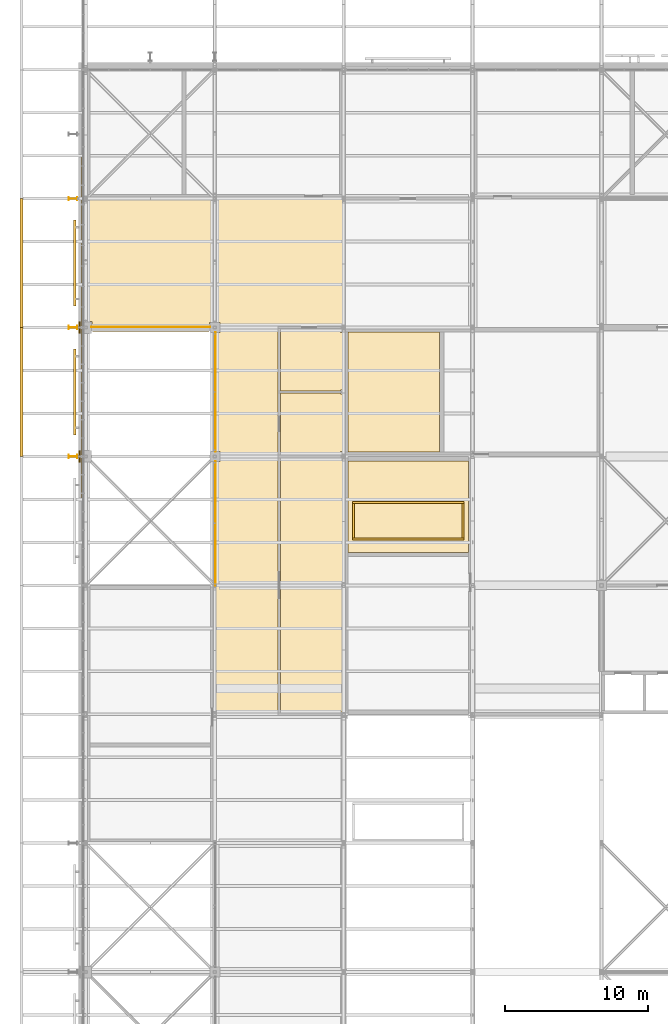
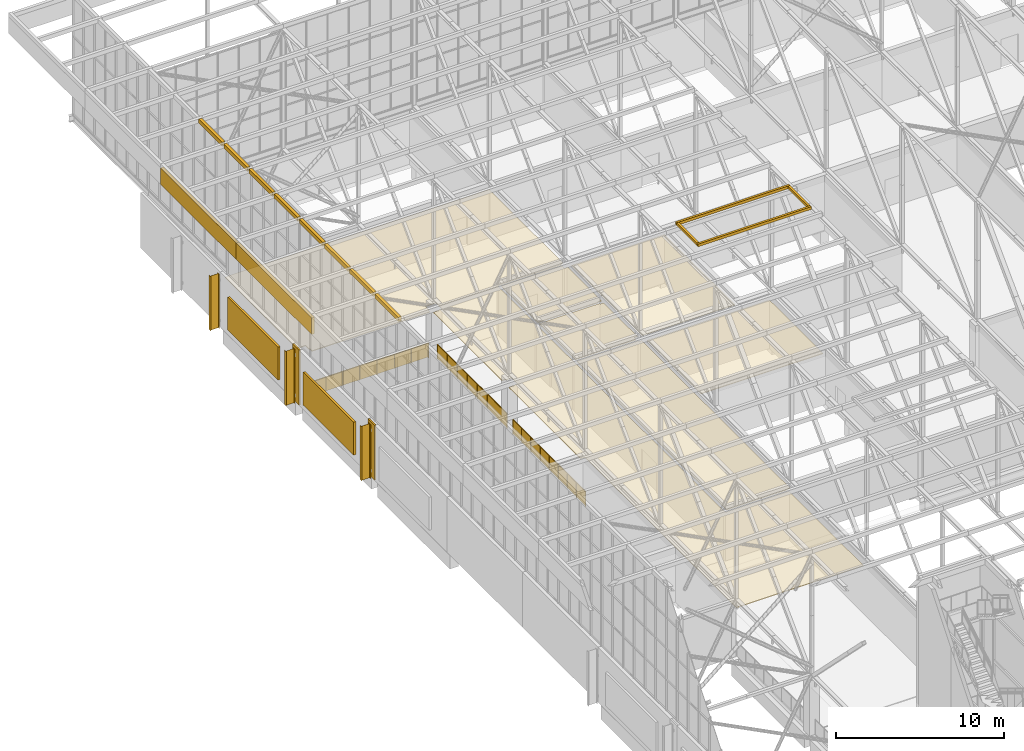
# One storey, part 635 of 646: 23 coverings, 5 shading devices, 3 railings.
"""IFC4 building model written with IfcOpenShell, lengths in metres."""

from ifc_helpers import new_model, si_unit, direction, frame, origin, origin_2d, place, context, subcontext, project, spatial, polyline, rectangle, circle, i_section, outline, extrude, material, layer, layer_set, material_profile, profile_set, type_object, element, save


model = new_model("IFC4")

# Units and contexts
model_context = context("Model", 3, precision=1e-05, world=origin(), true_north=direction((0.0, 1.0)))
body_context = subcontext(model_context, "Body", "Model", "MODEL_VIEW")
ifc_project = project(units=[si_unit("LENGTHUNIT", "METRE"), si_unit("AREAUNIT", "SQUARE_METRE"), si_unit("VOLUMEUNIT", "CUBIC_METRE"), si_unit("PLANEANGLEUNIT", "RADIAN"), si_unit("MASSUNIT", "GRAM", prefix="KILO")], contexts=[model_context])

# Site, building, storey
site_placement = place(None, origin())
site = spatial("IfcSite", under=ifc_project, at=site_placement, CompositionType="ELEMENT")
building_placement = place(site_placement, origin())
building = spatial("IfcBuilding", under=site, at=building_placement, Name="Silverbay Arena", CompositionType="ELEMENT")
storey_placement = place(building_placement, frame((0.0, 0.0, 33.5)))
storey = spatial("IfcBuildingStorey", under=building, at=storey_placement, Name="L05", CompositionType="ELEMENT", Elevation=33.5)

# Coverings
ifc_material_1 = material(Name="Aluminium composite cladding", Category="aluminium")
ifc_layer_1 = layer(ifc_material_1, 0.10009765625)
ifc_layer_set_1 = layer_set([ifc_layer_1], Name="Aluminium composite cladding")
covering_type_1 = type_object("IfcCoveringType", Name="Column cladding 100", PredefinedType="CLADDING", material=ifc_layer_set_1)
covering_1_placement = place(storey_placement, origin())
element("IfcCovering", 1, at=covering_1_placement, inside=storey, type_object=covering_type_1, Name="West column cladding L05 11", PredefinedType="CLADDING", context=body_context, shape_type="SweptSolid", body=[
    extrude(outline(polyline([(53.5, 116.60009765625), (53.60009765625, 116.60009765625), (53.60009765625, 117.39990234375), (53.5, 117.39990234375), (53.5, 116.60009765625)])), origin(), (0.0, 0.0, 1.0), 4.0),
])
covering_2_placement = place(storey_placement, origin())
element("IfcCovering", 2, at=covering_2_placement, inside=storey, type_object=covering_type_1, Name="West column cladding L05 13", PredefinedType="CLADDING", context=body_context, shape_type="SweptSolid", body=[
    extrude(outline(polyline([(53.5, 125.60009765625), (53.60009765625, 125.60009765625), (53.60009765625, 126.39990234375), (53.5, 126.39990234375), (53.5, 125.60009765625)])), origin(), (0.0, 0.0, 1.0), 4.0),
])
ifc_material_2 = material(Name="Fire-resisting board ceiling")
ifc_layer_2 = layer(ifc_material_2, 0.050048828125)
ifc_layer_set_2 = layer_set([ifc_layer_2], Name="Fire-resisting board ceiling")
covering_type_2 = type_object("IfcCoveringType", Name="Fire-resisting ceiling EI 120", PredefinedType="CEILING", material=ifc_layer_set_2)
covering_3_placement = place(storey_placement, frame((0.0, 0.0, 3.5)))
element("IfcCovering", 3, at=covering_3_placement, inside=storey, type_object=covering_type_2, Name="Fire-resisting ceiling 09", PredefinedType="CEILING", context=body_context, shape_type="SweptSolid", body=[
    extrude(outline(polyline([(62.97998046875, 125.590087890625), (62.72998046875, 125.590087890625), (62.72998046875, 117.409912109375), (62.97998046875, 117.409912109375), (62.97998046875, 117.360107421875), (63.360107421875, 117.360107421875), (63.360107421875, 116.639892578125), (62.97998046875, 116.639892578125), (62.97998046875, 116.590087890625), (62.72998046875, 116.590087890625), (62.72998046875, 108.06005859375), (62.97998046875, 108.06005859375), (62.97998046875, 108.030029296875), (63.030029296875, 108.030029296875), (63.030029296875, 90.02001953125), (71.77001953125, 90.02001953125), (71.77001953125, 98.89990234375), (67.39990234375, 98.89990234375), (67.39990234375, 126.02001953125), (63.360107421875, 126.02001953125), (63.360107421875, 125.639892578125), (62.97998046875, 125.639892578125), (62.97998046875, 125.590087890625)])), origin(), (0.0, 0.0, 1.0), 0.050048828125),
])
covering_4_placement = place(storey_placement, frame((0.0, 0.0, 3.5)))
element("IfcCovering", 4, at=covering_4_placement, inside=storey, type_object=covering_type_2, Name="Fire-resisting ceiling 15", PredefinedType="CEILING", context=body_context, shape_type="SweptSolid", body=[
    extrude(outline(polyline([(62.590087890625, 125.97998046875), (62.639892578125, 125.97998046875), (62.639892578125, 126.360107421875), (63.360107421875, 126.360107421875), (63.360107421875, 126.02001953125), (67.39990234375, 126.02001953125), (67.39990234375, 126.074951171875), (71.77001953125, 126.074951171875), (71.77001953125, 126.135009765625), (71.919921875, 126.135009765625), (71.919921875, 126.22998046875), (71.97998046875, 126.22998046875), (71.97998046875, 134.89990234375), (72.0, 134.89990234375), (72.0, 134.969970703125), (53.97998046875, 134.969970703125), (53.97998046875, 134.93994140625), (53.800048828125, 134.93994140625), (53.800048828125, 126.4599609375), (53.97998046875, 126.4599609375), (53.97998046875, 126.409912109375), (54.409912109375, 126.409912109375), (54.409912109375, 125.97998046875), (54.4599609375, 125.97998046875), (54.4599609375, 125.72998046875), (62.590087890625, 125.72998046875), (62.590087890625, 125.97998046875)])), origin(), (0.0, 0.0, 1.0), 0.050048828125),
])
covering_5_placement = place(storey_placement, frame((0.0, 0.0, 3.5)))
element("IfcCovering", 5, at=covering_5_placement, inside=storey, type_object=covering_type_2, Name="Fire-resisting ceiling 26", PredefinedType="CEILING", context=body_context, shape_type="SweptSolid", body=[
    extrude(outline(polyline([(71.77001953125, 99.159912109375), (72.0, 99.159912109375), (72.0, 116.840087890625), (71.77001953125, 116.840087890625), (71.77001953125, 116.89990234375), (67.60009765625, 116.89990234375), (67.60009765625, 99.10009765625), (71.77001953125, 99.10009765625), (71.77001953125, 99.159912109375)])), origin(), (0.0, 0.0, 1.0), 0.050048828125),
])
covering_6_placement = place(storey_placement, frame((0.0, 0.0, 3.5)))
element("IfcCovering", 6, at=covering_6_placement, inside=storey, type_object=covering_type_2, Name="Fire-resisting ceiling 27", PredefinedType="CEILING", context=body_context, shape_type="SweptSolid", body=[
    extrude(outline(polyline([(71.77001953125, 117.35205078125), (72.0, 117.35205078125), (72.0, 121.364990234375), (71.77001953125, 121.364990234375), (71.77001953125, 121.425048828125), (67.60009765625, 121.425048828125), (67.60009765625, 117.10009765625), (71.77001953125, 117.10009765625), (71.77001953125, 117.35205078125)])), origin(), (0.0, 0.0, 1.0), 0.050048828125),
])
covering_7_placement = place(storey_placement, frame((0.0, 0.0, 3.5)))
element("IfcCovering", 7, at=covering_7_placement, inside=storey, type_object=covering_type_2, Name="Fire-resisting ceiling 28", PredefinedType="CEILING", context=body_context, shape_type="SweptSolid", body=[
    extrude(outline(polyline([(72.0, 121.635009765625), (72.0, 125.64794921875), (71.77001953125, 125.64794921875), (71.77001953125, 125.925048828125), (67.60009765625, 125.925048828125), (67.60009765625, 121.574951171875), (71.77001953125, 121.574951171875), (71.77001953125, 121.635009765625), (72.0, 121.635009765625)])), origin(), (0.0, 0.0, 1.0), 0.050048828125),
])
covering_8_placement = place(storey_placement, frame((0.0, 0.0, 3.5)))
element("IfcCovering", 8, at=covering_8_placement, inside=storey, type_object=covering_type_2, Name="Fire-resisting ceiling 78", PredefinedType="CEILING", context=body_context, shape_type="SweptSolid", body=[
    extrude(outline(polyline([(72.300048828125, 117.300048828125), (78.699951171875, 117.300048828125), (78.699951171875, 125.699951171875), (72.300048828125, 125.699951171875), (72.300048828125, 117.300048828125)])), origin(), (0.0, 0.0, 1.0), 0.050048828125),
])
covering_9_placement = place(storey_placement, frame((0.0, 0.0, 3.5)))
element("IfcCovering", 9, at=covering_9_placement, inside=storey, type_object=covering_type_2, Name="Fire-resisting ceiling 80", PredefinedType="CEILING", context=body_context, shape_type="SweptSolid", body=[
    extrude(outline(polyline([(72.300048828125, 110.300048828125), (80.699951171875, 110.300048828125), (80.699951171875, 116.699951171875), (72.300048828125, 116.699951171875), (72.300048828125, 110.300048828125)])), origin(), (0.0, 0.0, 1.0), 0.050048828125),
])
ifc_material_3 = material(Name="Insulated metal cladding panel")
ifc_layer_3 = layer(ifc_material_3, 0.199951171875)
ifc_layer_set_3 = layer_set([ifc_layer_3], Name="Insulated metal cladding panel")
covering_type_3 = type_object("IfcCoveringType", Name="Gable head closer 200", PredefinedType="CLADDING", material=ifc_layer_set_3)
covering_10_placement = place(storey_placement, frame((0.0, 0.0, 13.0)))
element("IfcCovering", 10, at=covering_10_placement, inside=storey, type_object=covering_type_3, Name="ROOF GABLE HEAD CLOSER west 36", PredefinedType="CLADDING", context=body_context, shape_type="SweptSolid", body=[
    extrude(outline(polyline([(53.68994140625, 114.10009765625), (53.889892578125, 114.10009765625), (53.889892578125, 116.89990234375), (53.68994140625, 116.89990234375), (53.68994140625, 114.10009765625)])), origin(), (0.0, 0.0, 1.0), 0.300048828125),
])
covering_11_placement = place(storey_placement, frame((0.0, 0.0, 13.0)))
element("IfcCovering", 11, at=covering_11_placement, inside=storey, type_object=covering_type_3, Name="ROOF GABLE HEAD CLOSER west 37", PredefinedType="CLADDING", context=body_context, shape_type="SweptSolid", body=[
    extrude(outline(polyline([(53.68994140625, 117.10009765625), (53.889892578125, 117.10009765625), (53.889892578125, 119.89990234375), (53.68994140625, 119.89990234375), (53.68994140625, 117.10009765625)])), origin(), (0.0, 0.0, 1.0), 0.300048828125),
])
covering_12_placement = place(storey_placement, frame((0.0, 0.0, 13.0)))
element("IfcCovering", 12, at=covering_12_placement, inside=storey, type_object=covering_type_3, Name="ROOF GABLE HEAD CLOSER west 38", PredefinedType="CLADDING", context=body_context, shape_type="SweptSolid", body=[
    extrude(outline(polyline([(53.68994140625, 120.10009765625), (53.889892578125, 120.10009765625), (53.889892578125, 122.89990234375), (53.68994140625, 122.89990234375), (53.68994140625, 120.10009765625)])), origin(), (0.0, 0.0, 1.0), 0.300048828125),
])
covering_13_placement = place(storey_placement, frame((0.0, 0.0, 13.0)))
element("IfcCovering", 13, at=covering_13_placement, inside=storey, type_object=covering_type_3, Name="ROOF GABLE HEAD CLOSER west 39", PredefinedType="CLADDING", context=body_context, shape_type="SweptSolid", body=[
    extrude(outline(polyline([(53.68994140625, 123.10009765625), (53.889892578125, 123.10009765625), (53.889892578125, 125.89990234375), (53.68994140625, 125.89990234375), (53.68994140625, 123.10009765625)])), origin(), (0.0, 0.0, 1.0), 0.300048828125),
])
covering_14_placement = place(storey_placement, frame((0.0, 0.0, 13.0)))
element("IfcCovering", 14, at=covering_14_placement, inside=storey, type_object=covering_type_3, Name="ROOF GABLE HEAD CLOSER west 40", PredefinedType="CLADDING", context=body_context, shape_type="SweptSolid", body=[
    extrude(outline(polyline([(53.68994140625, 126.10009765625), (53.889892578125, 126.10009765625), (53.889892578125, 128.89990234375), (53.68994140625, 128.89990234375), (53.68994140625, 126.10009765625)])), origin(), (0.0, 0.0, 1.0), 0.300048828125),
])
covering_15_placement = place(storey_placement, frame((0.0, 0.0, 13.0)))
element("IfcCovering", 15, at=covering_15_placement, inside=storey, type_object=covering_type_3, Name="ROOF GABLE HEAD CLOSER west 41", PredefinedType="CLADDING", context=body_context, shape_type="SweptSolid", body=[
    extrude(outline(polyline([(53.68994140625, 129.10009765625), (53.889892578125, 129.10009765625), (53.889892578125, 131.89990234375), (53.68994140625, 131.89990234375), (53.68994140625, 129.10009765625)])), origin(), (0.0, 0.0, 1.0), 0.300048828125),
])
covering_16_placement = place(storey_placement, frame((0.0, 0.0, 13.0)))
element("IfcCovering", 16, at=covering_16_placement, inside=storey, type_object=covering_type_3, Name="ROOF GABLE HEAD CLOSER west 42", PredefinedType="CLADDING", context=body_context, shape_type="SweptSolid", body=[
    extrude(outline(polyline([(53.68994140625, 132.10009765625), (53.889892578125, 132.10009765625), (53.889892578125, 134.89990234375), (53.68994140625, 134.89990234375), (53.68994140625, 132.10009765625)])), origin(), (0.0, 0.0, 1.0), 0.300048828125),
])
covering_17_placement = place(storey_placement, frame((0.0, 0.0, 13.0)))
element("IfcCovering", 17, at=covering_17_placement, inside=storey, type_object=covering_type_3, Name="ROOF GABLE HEAD CLOSER west 43", PredefinedType="CLADDING", context=body_context, shape_type="SweptSolid", body=[
    extrude(outline(polyline([(53.68994140625, 135.10009765625), (53.889892578125, 135.10009765625), (53.889892578125, 137.89990234375), (53.68994140625, 137.89990234375), (53.68994140625, 135.10009765625)])), origin(), (0.0, 0.0, 1.0), 0.300048828125),
])

# Shading devices
ifc_material_4 = material(Name="Aluminium", Category="aluminium")
shading_device_type_1 = type_object("IfcShadingDeviceType", Name="Louvre screen 6000 x 2400", PredefinedType="JALOUSIE", material=ifc_material_4)
for number, where, z_axis, x_axis, name in (
    (18, (53.22509765625, 121.5, 0.800048828125), (0.0, 0.0, 1.0), (0.0, 1.0, 0.0), "West plant louvre L05 bay 12"),
    (19, (53.22509765625, 130.5, 0.800048828125), (0.0, 0.0, 1.0), (0.0, 1.0, 0.0), "West plant louvre L05 bay 13"),
):
    element("IfcShadingDevice", number, at=place(storey_placement, frame(where, z_axis=z_axis, x_axis=x_axis)), inside=storey, type_object=shading_device_type_1, Name=name, PredefinedType="JALOUSIE", context=body_context, shape_type="SweptSolid", body=[
        extrude(rectangle(XDim=6.0, YDim=0.14990234375, at=origin_2d()), origin(), (0.0, 0.0, 1.0), 2.39990234375),
    ])

# Railings
ifc_material_5 = material(Name="Stainless steel", Category="steel")
railing_type = type_object("IfcRailingType", Name="Opening guard 1100", PredefinedType="GUARDRAIL", material=ifc_material_5)
railing_1_placement = place(storey_placement, frame((63.0400390625, 108.0, 0.0)))
element("IfcRailing", 20, at=railing_1_placement, inside=storey, type_object=railing_type, Name="Opening guard L05 end gallery W-inner edge", PredefinedType="GUARDRAIL", context=body_context, shape_type="SweptSolid", body=[
    extrude(circle(Radius=0.02392578125, at=origin_2d()), frame((0.0, 0.0, 1.076171875), z_axis=(0.0, 1.0, 0.0), x_axis=(-1.0, 0.0, 0.0)), (0.0, 0.0, 1.0), 8.64990234375),
    extrude(outline(polyline([(-0.008056640625, 0.050048828125), (1.08935546875, 0.050048828125), (1.08935546875, 1.052978515625), (-0.008056640625, 1.052978515625), (-0.008056640625, 0.050048828125)])), frame((-0.0029296875, 0.0, 0.0), z_axis=(1.0, 0.0, 0.0), x_axis=(0.0, 1.0, 0.0)), (0.0, 0.0, 1.0), 0.006103515625),
    extrude(outline(polyline([(-0.008056640625, 0.050048828125), (1.08935546875, 0.050048828125), (1.08935546875, 1.052978515625), (-0.008056640625, 1.052978515625), (-0.008056640625, 0.050048828125)])), frame((-0.0029296875, 1.081298828125, 0.0), z_axis=(1.0, 0.0, 0.0), x_axis=(0.0, 1.0, 0.0)), (0.0, 0.0, 1.0), 0.006103515625),
    extrude(outline(polyline([(-0.008056640625, 0.050048828125), (1.08935546875, 0.050048828125), (1.08935546875, 1.052978515625), (-0.008056640625, 1.052978515625), (-0.008056640625, 0.050048828125)])), frame((-0.0029296875, 2.16259765625, 0.0), z_axis=(1.0, 0.0, 0.0), x_axis=(0.0, 1.0, 0.0)), (0.0, 0.0, 1.0), 0.006103515625),
    extrude(outline(polyline([(-0.008056640625, 0.050048828125), (1.08935546875, 0.050048828125), (1.08935546875, 1.052978515625), (-0.008056640625, 1.052978515625), (-0.008056640625, 0.050048828125)])), frame((-0.0029296875, 3.24365234375, 0.0), z_axis=(1.0, 0.0, 0.0), x_axis=(0.0, 1.0, 0.0)), (0.0, 0.0, 1.0), 0.006103515625),
    extrude(outline(polyline([(-0.008056640625, 0.050048828125), (1.08935546875, 0.050048828125), (1.08935546875, 1.052978515625), (-0.008056640625, 1.052978515625), (-0.008056640625, 0.050048828125)])), frame((-0.0029296875, 4.324951171875, 0.0), z_axis=(1.0, 0.0, 0.0), x_axis=(0.0, 1.0, 0.0)), (0.0, 0.0, 1.0), 0.006103515625),
    extrude(outline(polyline([(-0.008056640625, 0.050048828125), (1.08935546875, 0.050048828125), (1.08935546875, 1.052978515625), (-0.008056640625, 1.052978515625), (-0.008056640625, 0.050048828125)])), frame((-0.0029296875, 5.40625, 0.0), z_axis=(1.0, 0.0, 0.0), x_axis=(0.0, 1.0, 0.0)), (0.0, 0.0, 1.0), 0.006103515625),
    extrude(outline(polyline([(-0.008056640625, 0.050048828125), (1.08935546875, 0.050048828125), (1.08935546875, 1.052978515625), (-0.008056640625, 1.052978515625), (-0.008056640625, 0.050048828125)])), frame((-0.0029296875, 6.4873046875, 0.0), z_axis=(1.0, 0.0, 0.0), x_axis=(0.0, 1.0, 0.0)), (0.0, 0.0, 1.0), 0.006103515625),
    extrude(outline(polyline([(-0.008056640625, 0.050048828125), (1.08935546875, 0.050048828125), (1.08935546875, 1.052978515625), (-0.008056640625, 1.052978515625), (-0.008056640625, 0.050048828125)])), frame((-0.0029296875, 7.568603515625, 0.0), z_axis=(1.0, 0.0, 0.0), x_axis=(0.0, 1.0, 0.0)), (0.0, 0.0, 1.0), 0.006103515625),
    extrude(circle(Radius=0.02099609375, at=origin_2d()), origin(), (0.0, 0.0, 1.0), 1.052001953125),
    extrude(circle(Radius=0.02099609375, at=origin_2d()), frame((0.0, 1.081298828125, 0.0)), (0.0, 0.0, 1.0), 1.052001953125),
    extrude(circle(Radius=0.02099609375, at=origin_2d()), frame((0.0, 2.16259765625, 0.0)), (0.0, 0.0, 1.0), 1.052001953125),
    extrude(circle(Radius=0.02099609375, at=origin_2d()), frame((0.0, 3.24365234375, 0.0)), (0.0, 0.0, 1.0), 1.052001953125),
    extrude(circle(Radius=0.02099609375, at=origin_2d()), frame((0.0, 4.324951171875, 0.0)), (0.0, 0.0, 1.0), 1.052001953125),
    extrude(circle(Radius=0.02099609375, at=origin_2d()), frame((0.0, 5.40625, 0.0)), (0.0, 0.0, 1.0), 1.052001953125),
    extrude(circle(Radius=0.02099609375, at=origin_2d()), frame((0.0, 6.4873046875, 0.0)), (0.0, 0.0, 1.0), 1.052001953125),
    extrude(circle(Radius=0.02099609375, at=origin_2d()), frame((0.0, 7.568603515625, 0.0)), (0.0, 0.0, 1.0), 1.052001953125),
    extrude(circle(Radius=0.02099609375, at=origin_2d()), frame((0.0, 8.64990234375, 0.0)), (0.0, 0.0, 1.0), 1.052001953125),
])
railing_2_placement = place(storey_placement, frame((63.0400390625, 117.35009765625, 0.0)))
element("IfcRailing", 21, at=railing_2_placement, inside=storey, type_object=railing_type, Name="Opening guard L05 end gallery W-inner edge", PredefinedType="GUARDRAIL", context=body_context, shape_type="SweptSolid", body=[
    extrude(circle(Radius=0.02392578125, at=origin_2d()), frame((0.0, 0.0, 1.076171875), z_axis=(0.0, 1.0, 0.0), x_axis=(-1.0, 0.0, 0.0)), (0.0, 0.0, 1.0), 8.2998046875),
    extrude(outline(polyline([(-0.008056640625, 0.050048828125), (1.193603515625, 0.050048828125), (1.193603515625, 1.052978515625), (-0.008056640625, 1.052978515625), (-0.008056640625, 0.050048828125)])), frame((-0.0029296875, 0.0, 0.0), z_axis=(1.0, 0.0, 0.0), x_axis=(0.0, 1.0, 0.0)), (0.0, 0.0, 1.0), 0.006103515625),
    extrude(outline(polyline([(-0.008056640625, 0.050048828125), (1.193603515625, 0.050048828125), (1.193603515625, 1.052978515625), (-0.008056640625, 1.052978515625), (-0.008056640625, 0.050048828125)])), frame((-0.0029296875, 1.185791015625, 0.0), z_axis=(1.0, 0.0, 0.0), x_axis=(0.0, 1.0, 0.0)), (0.0, 0.0, 1.0), 0.006103515625),
    extrude(outline(polyline([(-0.008056640625, 0.050048828125), (1.193603515625, 0.050048828125), (1.193603515625, 1.052978515625), (-0.008056640625, 1.052978515625), (-0.008056640625, 0.050048828125)])), frame((-0.0029296875, 2.371337890625, 0.0), z_axis=(1.0, 0.0, 0.0), x_axis=(0.0, 1.0, 0.0)), (0.0, 0.0, 1.0), 0.006103515625),
    extrude(outline(polyline([(-0.008056640625, 0.050048828125), (1.193603515625, 0.050048828125), (1.193603515625, 1.052978515625), (-0.008056640625, 1.052978515625), (-0.008056640625, 0.050048828125)])), frame((-0.0029296875, 3.55712890625, 0.0), z_axis=(1.0, 0.0, 0.0), x_axis=(0.0, 1.0, 0.0)), (0.0, 0.0, 1.0), 0.006103515625),
    extrude(outline(polyline([(-0.008056640625, 0.050048828125), (1.193603515625, 0.050048828125), (1.193603515625, 1.052978515625), (-0.008056640625, 1.052978515625), (-0.008056640625, 0.050048828125)])), frame((-0.0029296875, 4.74267578125, 0.0), z_axis=(1.0, 0.0, 0.0), x_axis=(0.0, 1.0, 0.0)), (0.0, 0.0, 1.0), 0.006103515625),
    extrude(outline(polyline([(-0.008056640625, 0.050048828125), (1.193603515625, 0.050048828125), (1.193603515625, 1.052978515625), (-0.008056640625, 1.052978515625), (-0.008056640625, 0.050048828125)])), frame((-0.0029296875, 5.928466796875, 0.0), z_axis=(1.0, 0.0, 0.0), x_axis=(0.0, 1.0, 0.0)), (0.0, 0.0, 1.0), 0.006103515625),
    extrude(outline(polyline([(-0.008056640625, 0.050048828125), (1.193603515625, 0.050048828125), (1.193603515625, 1.052978515625), (-0.008056640625, 1.052978515625), (-0.008056640625, 0.050048828125)])), frame((-0.0029296875, 7.114013671875, 0.0), z_axis=(1.0, 0.0, 0.0), x_axis=(0.0, 1.0, 0.0)), (0.0, 0.0, 1.0), 0.006103515625),
    extrude(circle(Radius=0.02099609375, at=origin_2d()), origin(), (0.0, 0.0, 1.0), 1.052001953125),
    extrude(circle(Radius=0.02099609375, at=origin_2d()), frame((0.0, 1.185791015625, 0.0)), (0.0, 0.0, 1.0), 1.052001953125),
    extrude(circle(Radius=0.02099609375, at=origin_2d()), frame((0.0, 2.371337890625, 0.0)), (0.0, 0.0, 1.0), 1.052001953125),
    extrude(circle(Radius=0.02099609375, at=origin_2d()), frame((0.0, 3.55712890625, 0.0)), (0.0, 0.0, 1.0), 1.052001953125),
    extrude(circle(Radius=0.02099609375, at=origin_2d()), frame((0.0, 4.74267578125, 0.0)), (0.0, 0.0, 1.0), 1.052001953125),
    extrude(circle(Radius=0.02099609375, at=origin_2d()), frame((0.0, 5.928466796875, 0.0)), (0.0, 0.0, 1.0), 1.052001953125),
    extrude(circle(Radius=0.02099609375, at=origin_2d()), frame((0.0, 7.114013671875, 0.0)), (0.0, 0.0, 1.0), 1.052001953125),
    extrude(circle(Radius=0.02099609375, at=origin_2d()), frame((0.0, 8.2998046875, 0.0)), (0.0, 0.0, 1.0), 1.052001953125),
])
railing_3_placement = place(storey_placement, frame((54.39990234375, 126.0400390625, 0.0)))
element("IfcRailing", 22, at=railing_3_placement, inside=storey, type_object=railing_type, Name="Opening guard L05 end gallery W-north edge", PredefinedType="GUARDRAIL", context=body_context, shape_type="SweptSolid", body=[
    extrude(circle(Radius=0.02392578125, at=origin_2d()), frame((0.0, 0.0, 1.076171875), z_axis=(1.0, 0.0, 0.0), x_axis=(0.0, 1.0, 0.0)), (0.0, 0.0, 1.0), 8.25),
    extrude(outline(polyline([(-0.008056640625, 0.050048828125), (1.1865234375, 0.050048828125), (1.1865234375, 1.052978515625), (-0.008056640625, 1.052978515625), (-0.008056640625, 0.050048828125)])), frame((0.0, 0.0029296875, 0.0), z_axis=(0.0, -1.0, 0.0), x_axis=(1.0, 0.0, 0.0)), (0.0, 0.0, 1.0), 0.006103515625),
    extrude(outline(polyline([(-0.008056640625, 0.050048828125), (1.1865234375, 0.050048828125), (1.1865234375, 1.052978515625), (-0.008056640625, 1.052978515625), (-0.008056640625, 0.050048828125)])), frame((1.178466796875, 0.0029296875, 0.0), z_axis=(0.0, -1.0, 0.0), x_axis=(1.0, 0.0, 0.0)), (0.0, 0.0, 1.0), 0.006103515625),
    extrude(outline(polyline([(-0.008056640625, 0.050048828125), (1.1865234375, 0.050048828125), (1.1865234375, 1.052978515625), (-0.008056640625, 1.052978515625), (-0.008056640625, 0.050048828125)])), frame((2.357177734375, 0.0029296875, 0.0), z_axis=(0.0, -1.0, 0.0), x_axis=(1.0, 0.0, 0.0)), (0.0, 0.0, 1.0), 0.006103515625),
    extrude(outline(polyline([(-0.008056640625, 0.050048828125), (1.1865234375, 0.050048828125), (1.1865234375, 1.052978515625), (-0.008056640625, 1.052978515625), (-0.008056640625, 0.050048828125)])), frame((3.53564453125, 0.0029296875, 0.0), z_axis=(0.0, -1.0, 0.0), x_axis=(1.0, 0.0, 0.0)), (0.0, 0.0, 1.0), 0.006103515625),
    extrude(outline(polyline([(-0.008056640625, 0.050048828125), (1.1865234375, 0.050048828125), (1.1865234375, 1.052978515625), (-0.008056640625, 1.052978515625), (-0.008056640625, 0.050048828125)])), frame((4.71435546875, 0.0029296875, 0.0), z_axis=(0.0, -1.0, 0.0), x_axis=(1.0, 0.0, 0.0)), (0.0, 0.0, 1.0), 0.006103515625),
    extrude(outline(polyline([(-0.008056640625, 0.050048828125), (1.1865234375, 0.050048828125), (1.1865234375, 1.052978515625), (-0.008056640625, 1.052978515625), (-0.008056640625, 0.050048828125)])), frame((5.892822265625, 0.0029296875, 0.0), z_axis=(0.0, -1.0, 0.0), x_axis=(1.0, 0.0, 0.0)), (0.0, 0.0, 1.0), 0.006103515625),
    extrude(outline(polyline([(-0.008056640625, 0.050048828125), (1.1865234375, 0.050048828125), (1.1865234375, 1.052978515625), (-0.008056640625, 1.052978515625), (-0.008056640625, 0.050048828125)])), frame((7.071533203125, 0.0029296875, 0.0), z_axis=(0.0, -1.0, 0.0), x_axis=(1.0, 0.0, 0.0)), (0.0, 0.0, 1.0), 0.006103515625),
    extrude(circle(Radius=0.02099609375, at=origin_2d()), origin(), (0.0, 0.0, 1.0), 1.052001953125),
    extrude(circle(Radius=0.02099609375, at=origin_2d()), frame((1.178466796875, 0.0, 0.0)), (0.0, 0.0, 1.0), 1.052001953125),
    extrude(circle(Radius=0.02099609375, at=origin_2d()), frame((2.357177734375, 0.0, 0.0)), (0.0, 0.0, 1.0), 1.052001953125),
    extrude(circle(Radius=0.02099609375, at=origin_2d()), frame((3.53564453125, 0.0, 0.0)), (0.0, 0.0, 1.0), 1.052001953125),
    extrude(circle(Radius=0.02099609375, at=origin_2d()), frame((4.71435546875, 0.0, 0.0)), (0.0, 0.0, 1.0), 1.052001953125),
    extrude(circle(Radius=0.02099609375, at=origin_2d()), frame((5.892822265625, 0.0, 0.0)), (0.0, 0.0, 1.0), 1.052001953125),
    extrude(circle(Radius=0.02099609375, at=origin_2d()), frame((7.071533203125, 0.0, 0.0)), (0.0, 0.0, 1.0), 1.052001953125),
    extrude(circle(Radius=0.02099609375, at=origin_2d()), frame((8.25, 0.0, 0.0)), (0.0, 0.0, 1.0), 1.052001953125),
])

# Coverings
ifc_material_6 = material(Name="Insulated metal cladding panel")
ifc_layer_4 = layer(ifc_material_6, 0.199951171875)
ifc_layer_set_4 = layer_set([ifc_layer_4], Name="Insulated metal cladding panel")
covering_type_4 = type_object("IfcCoveringType", Name="Roof edge fascia 200", PredefinedType="CLADDING", material=ifc_layer_set_4)
covering_18_placement = place(storey_placement, frame((0.0, 0.0, 11.800048828125)))
element("IfcCovering", 23, at=covering_18_placement, inside=storey, type_object=covering_type_4, Name="ROOF EDGE FASCIA west bay 13", PredefinedType="CLADDING", context=body_context, shape_type="SweptSolid", body=[
    extrude(outline(polyline([(49.39990234375, 117.0), (49.60009765625, 117.0), (49.60009765625, 126.0), (49.39990234375, 126.0), (49.39990234375, 117.0)])), origin(), (0.0, 0.0, 1.0), 1.199951171875),
])
covering_19_placement = place(storey_placement, frame((0.0, 0.0, 11.800048828125)))
element("IfcCovering", 24, at=covering_19_placement, inside=storey, type_object=covering_type_4, Name="ROOF EDGE FASCIA west bay 14", PredefinedType="CLADDING", context=body_context, shape_type="SweptSolid", body=[
    extrude(outline(polyline([(49.39990234375, 126.0), (49.60009765625, 126.0), (49.60009765625, 135.0), (49.39990234375, 135.0), (49.39990234375, 126.0)])), origin(), (0.0, 0.0, 1.0), 1.199951171875),
])
ifc_material_7 = material(Name="Insulated metal curb")
ifc_layer_5 = layer(ifc_material_7, 0.14990234375)
ifc_layer_set_5 = layer_set([ifc_layer_5], Name="Insulated metal curb")
covering_type_5 = type_object("IfcCoveringType", Name="Roof light curb 150", PredefinedType="CLADDING", material=ifc_layer_set_5)
covering_20_placement = place(storey_placement, frame((0.0, 0.0, 13.60009765625)))
element("IfcCovering", 25, at=covering_20_placement, inside=storey, type_object=covering_type_5, Name="ROOF LIGHT CURB 07 S", PredefinedType="CLADDING", context=body_context, shape_type="SweptSolid", body=[
    extrude(outline(polyline([(72.60009765625, 111.14990234375), (80.39990234375, 111.14990234375), (80.39990234375, 111.300048828125), (72.60009765625, 111.300048828125), (72.60009765625, 111.14990234375)])), origin(), (0.0, 0.0, 1.0), 0.199951171875),
])
covering_21_placement = place(storey_placement, frame((0.0, 0.0, 13.60009765625)))
element("IfcCovering", 26, at=covering_21_placement, inside=storey, type_object=covering_type_5, Name="ROOF LIGHT CURB 07 N", PredefinedType="CLADDING", context=body_context, shape_type="SweptSolid", body=[
    extrude(outline(polyline([(72.60009765625, 113.699951171875), (80.39990234375, 113.699951171875), (80.39990234375, 113.85009765625), (72.60009765625, 113.85009765625), (72.60009765625, 113.699951171875)])), origin(), (0.0, 0.0, 1.0), 0.199951171875),
])
covering_22_placement = place(storey_placement, frame((0.0, 0.0, 13.60009765625)))
element("IfcCovering", 27, at=covering_22_placement, inside=storey, type_object=covering_type_5, Name="ROOF LIGHT CURB 07 W", PredefinedType="CLADDING", context=body_context, shape_type="SweptSolid", body=[
    extrude(outline(polyline([(72.60009765625, 111.300048828125), (72.75, 111.300048828125), (72.75, 113.699951171875), (72.60009765625, 113.699951171875), (72.60009765625, 111.300048828125)])), origin(), (0.0, 0.0, 1.0), 0.199951171875),
])
covering_23_placement = place(storey_placement, frame((0.0, 0.0, 13.60009765625)))
element("IfcCovering", 28, at=covering_23_placement, inside=storey, type_object=covering_type_5, Name="ROOF LIGHT CURB 07 E", PredefinedType="CLADDING", context=body_context, shape_type="SweptSolid", body=[
    extrude(outline(polyline([(80.25, 111.300048828125), (80.39990234375, 111.300048828125), (80.39990234375, 113.699951171875), (80.25, 113.699951171875), (80.25, 111.300048828125)])), origin(), (0.0, 0.0, 1.0), 0.199951171875),
])

# Shading devices
ifc_material_8 = material(Name="Steel S355", Category="steel")
ifc_material_profile = material_profile(ifc_material_8, i_section(OverallWidth=0.2275390625, OverallDepth=0.6025390625, WebThickness=0.010498046875, FlangeThickness=0.014892578125, at=origin_2d()), Name="UB 610x229x101")
ifc_profile_set = profile_set([ifc_material_profile], Name="Steel S355")
shading_device_type_2 = type_object("IfcShadingDeviceType", Name="Steel fin UB 610x229x101", PredefinedType="USERDEFINED", material=ifc_profile_set)
for number, where, z_axis, x_axis, name in (
    (29, (53.0986328125, 117.0, 0.0), (0.0, 0.0, 1.0), (0.0, 1.0, 0.0), "Steel fin W L05 22"),
    (30, (53.0986328125, 126.0, 0.0), (0.0, 0.0, 1.0), (0.0, 1.0, 0.0), "Steel fin W L05 24"),
    (31, (53.0986328125, 135.0, 0.0), (0.0, 0.0, 1.0), (0.0, 1.0, 0.0), "Steel fin W L05 26"),
):
    element("IfcShadingDevice", number, at=place(storey_placement, frame(where, z_axis=z_axis, x_axis=x_axis)), inside=storey, type_object=shading_device_type_2, Name=name, ObjectType="FIN", PredefinedType="USERDEFINED", context=body_context, shape_type="SweptSolid", body=[
        extrude(i_section(OverallWidth=0.2275390625, OverallDepth=0.6025390625, WebThickness=0.010498046875, FlangeThickness=0.014892578125, at=origin_2d()), origin(), (0.0, 0.0, 1.0), 3.93994140625),
    ])

save(model, "model.ifc")
